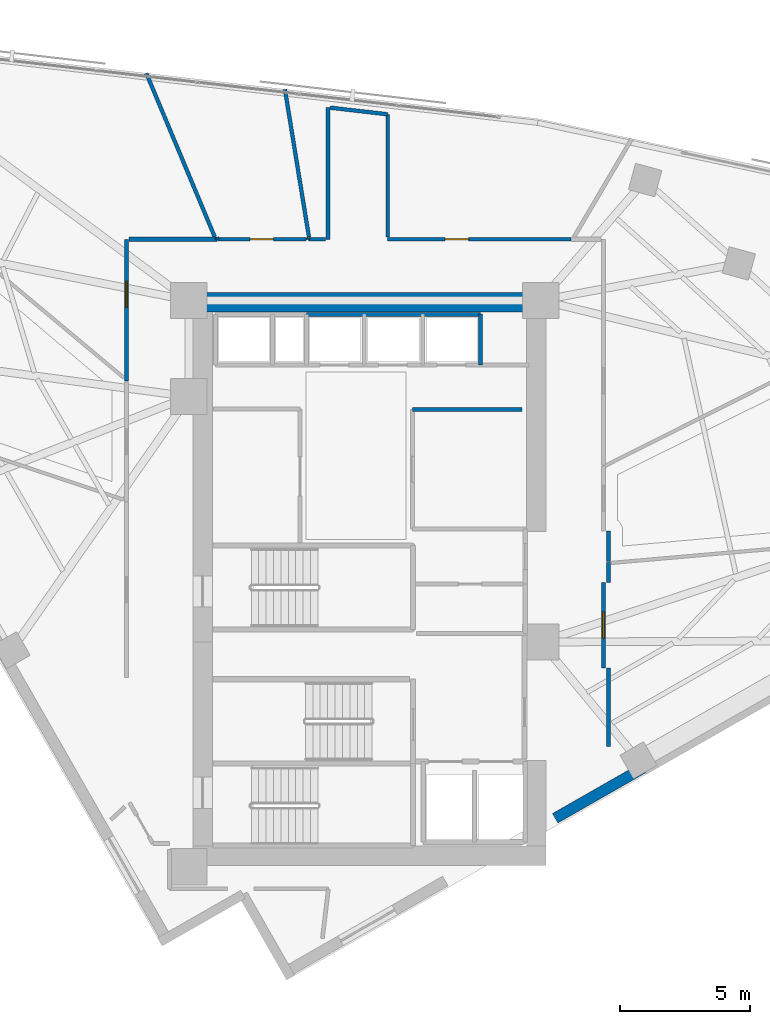
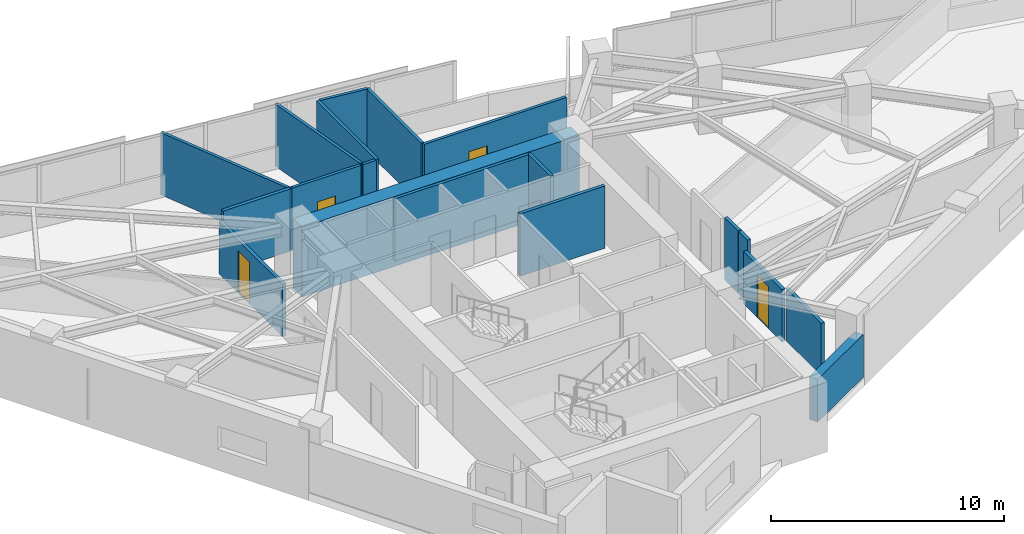
# One storey, part 10 of 13: 21 walls, 4 doors, 4 openings.
"""IFC4 building model written with IfcOpenShell, lengths in metres."""

from ifc_helpers import new_model, si_unit, direction, frame, frame_2d, origin, place, context, subcontext, project, spatial, rectangle, extrude, material, layer, layer_set, type_object, element, fill, save


model = new_model("IFC4")

# Units and contexts
model_context = context("Model", 3, precision=1e-05, world=origin(), true_north=direction((0.0, 1.0)))
body_context = subcontext(model_context, "Body", "Model", "MODEL_VIEW")
ifc_project = project(units=[si_unit("LENGTHUNIT", "METRE"), si_unit("AREAUNIT", "SQUARE_METRE"), si_unit("VOLUMEUNIT", "CUBIC_METRE"), si_unit("PLANEANGLEUNIT", "RADIAN"), si_unit("MASSUNIT", "GRAM", prefix="KILO")], contexts=[model_context])

# Site, building, storey
site_placement = place(None, origin())
site = spatial("IfcSite", under=ifc_project, at=site_placement, CompositionType="ELEMENT")
building_placement = place(site_placement, origin())
building = spatial("IfcBuilding", under=site, at=building_placement, Name="Narakoshi Arena Tower", CompositionType="ELEMENT")
storey_placement = place(building_placement, frame((0.0, 0.0, 200.89990234375)))
storey = spatial("IfcBuildingStorey", under=building, at=storey_placement, Name="L54", CompositionType="ELEMENT", Elevation=200.89990234375)

# Wall
ifc_material_1 = material(Name="Concrete C50/60", Category="concrete")
ifc_layer_1 = layer(ifc_material_1, 0.75)
ifc_layer_set_1 = layer_set([ifc_layer_1], Name="Concrete C50/60")
wall_type_1 = type_object("IfcWallType", Name="WL-CORE-750", PredefinedType="SHEAR", material=ifc_layer_set_1)
wall_1_placement = place(storey_placement, frame((72.0, 56.425048828125, -0.39990234375), z_axis=(0.0, 0.0, 1.0), x_axis=(1.0, 0.0, 0.0)))
element("IfcWall", 1, at=wall_1_placement, inside=storey, type_object=wall_type_1, Name="L54 Main Core Shear Wall CW-MN-N", PredefinedType="SHEAR", context=body_context, shape_type="SweptSolid", body=[
    extrude(rectangle(XDim=13.75, YDim=0.75, at=frame_2d((6.875, 0.0))), origin(), (0.0, 0.0, 1.0), 3.659912109375),
])

# Wall, opening, door
ifc_material_2 = material(Name="Gypsum plasterboard fire-rated partition")
ifc_layer_2 = layer(ifc_material_2, 0.1650390625)
ifc_layer_set_2 = layer_set([ifc_layer_2], Name="Gypsum plasterboard fire-rated partition")
wall_type_2 = type_object("IfcWallType", Name="WL-CORR-165", PredefinedType="PARTITIONING", material=ifc_layer_set_2)
wall_2_placement = place(storey_placement, frame((87.955322265625, 42.35009765625, 0.0), z_axis=(0.0, 0.0, 1.0), x_axis=(0.0, 1.0, 0.0)))
wall_2 = element("IfcWall", 2, at=wall_2_placement, inside=storey, type_object=wall_type_2, Name="L54 Corridor Partition 02-1", PredefinedType="PARTITIONING", context=body_context, shape_type="SweptSolid", body=[
    extrude(rectangle(XDim=3.2998046875, YDim=0.1650390625, at=frame_2d((1.64990234375, 0.0))), origin(), (0.0, 0.0, 1.0), 2.7451171875),
])
opening_1_placement = place(wall_2_placement, frame((1.14990234375, 0.0, 0.0)))
opening_1 = element("IfcOpeningElement", 3, at=opening_1_placement, cuts=wall_2, Name="Opening D-06", PredefinedType="OPENING", context=body_context, shape_type="SweptSolid", body=[
    extrude(rectangle(XDim=1.0, YDim=2.199951171875, at=frame_2d((0.5, 1.10009765625))), frame((0.0, 0.092529296875, 0.0), z_axis=(0.0, -1.0, 0.0), x_axis=(1.0, 0.0, 0.0)), (0.0, 0.0, 1.0), 0.18505859375),
])
ifc_material_3 = material(Name="Stained oak solid-core timber", Category="wood")
door_type_1 = type_object("IfcDoorType", Name="DR-OFF-1000", OperationType="NOTDEFINED", PredefinedType="DOOR", material=ifc_material_3)
door_1_placement = place(opening_1_placement, frame((1.0, 0.0, 0.0), z_axis=(0.0, 0.0, 1.0), x_axis=(-1.0, 0.0, 0.0)))
door_1 = element("IfcDoor", 4, at=door_1_placement, inside=storey, type_object=door_type_1, Name="DR-L54-015", OperationType="SINGLE_SWING_LEFT", OverallHeight=2.199951171875, OverallWidth=1.0, PredefinedType="DOOR", context=body_context, shape_type="SweptSolid", body=[
    extrude(rectangle(XDim=1.0, YDim=2.199951171875, at=frame_2d((0.5, 1.10009765625))), frame((0.0, 0.02490234375, 0.0), z_axis=(0.0, -1.0, 0.0), x_axis=(1.0, 0.0, 0.0)), (0.0, 0.0, 1.0), 0.050048828125),
])
fill(opening_1, door_1)

# Walls
wall_3_placement = place(storey_placement, frame((88.14990234375, 39.322998046875, 0.0), z_axis=(0.0, 0.0, 1.0), x_axis=(0.0, 1.0, 0.0)))
element("IfcWall", 5, at=wall_3_placement, inside=storey, type_object=wall_type_2, Name="L54 Corridor Partition 02-2", PredefinedType="PARTITIONING", context=body_context, shape_type="SweptSolid", body=[
    extrude(rectangle(XDim=3.027099609375, YDim=0.1650390625, at=frame_2d((1.513671875, 0.0))), origin(), (0.0, 0.0, 1.0), 2.7451171875),
])
wall_4_placement = place(storey_placement, frame((88.14990234375, 45.64990234375, 0.0), z_axis=(0.0, 0.0, 1.0), x_axis=(0.0, 1.0, 0.0)))
element("IfcWall", 6, at=wall_4_placement, inside=storey, type_object=wall_type_2, Name="L54 Corridor Partition 02-3", PredefinedType="PARTITIONING", context=body_context, shape_type="SweptSolid", body=[
    extrude(rectangle(XDim=0.771728515625, YDim=0.1650390625, at=frame_2d((0.3857421875, 0.0))), origin(), (0.0, 0.0, 1.0), 3.260009765625),
])
wall_5_placement = place(storey_placement, frame((88.14990234375, 46.44580078125, 0.0), z_axis=(0.0, 0.0, 1.0), x_axis=(0.0, 1.0, 0.0)))
element("IfcWall", 7, at=wall_5_placement, inside=storey, type_object=wall_type_2, Name="L54 Corridor Partition 03-2", PredefinedType="PARTITIONING", context=body_context, shape_type="SweptSolid", body=[
    extrude(rectangle(XDim=1.17431640625, YDim=0.1650390625, at=frame_2d((0.587158203125, 0.0))), origin(), (0.0, 0.0, 1.0), 3.260009765625),
])

# Wall, opening, door
wall_6_placement = place(storey_placement, frame((69.594482421875, 58.85546875, 0.0), z_axis=(0.0, 0.0, 1.0), x_axis=(0.0, -1.0, 0.0)))
wall_6 = element("IfcWall", 8, at=wall_6_placement, inside=storey, type_object=wall_type_2, Name="L54 Corridor Partition 06-1", PredefinedType="PARTITIONING", context=body_context, shape_type="SweptSolid", body=[
    extrude(rectangle(XDim=5.4619140625, YDim=0.1650390625, at=frame_2d((2.73095703125, 0.0))), origin(), (0.0, 0.0, 1.0), 2.7451171875),
])
opening_2_placement = place(wall_6_placement, frame((1.62158203125, 0.0, 0.0)))
opening_2 = element("IfcOpeningElement", 9, at=opening_2_placement, cuts=wall_6, Name="Opening D-06", PredefinedType="OPENING", context=body_context, shape_type="SweptSolid", body=[
    extrude(rectangle(XDim=1.0, YDim=2.199951171875, at=frame_2d((0.5, 1.10009765625))), frame((0.0, 0.092529296875, 0.0), z_axis=(0.0, -1.0, 0.0), x_axis=(1.0, 0.0, 0.0)), (0.0, 0.0, 1.0), 0.18505859375),
])
door_2_placement = place(opening_2_placement, frame((1.0, 0.0, 0.0), z_axis=(0.0, 0.0, 1.0), x_axis=(-1.0, 0.0, 0.0)))
door_2 = element("IfcDoor", 10, at=door_2_placement, inside=storey, type_object=door_type_1, Name="DR-L54-019", OperationType="SINGLE_SWING_LEFT", OverallHeight=2.199951171875, OverallWidth=1.0, PredefinedType="DOOR", context=body_context, shape_type="SweptSolid", body=[
    extrude(rectangle(XDim=1.0, YDim=2.199951171875, at=frame_2d((0.5, 1.10009765625))), frame((0.0, 0.02490234375, 0.0), z_axis=(0.0, -1.0, 0.0), x_axis=(1.0, 0.0, 0.0)), (0.0, 0.0, 1.0), 0.050048828125),
])
fill(opening_2, door_2)

# Walls
wall_7_placement = place(storey_placement, frame((73.07177734375, 58.85546875, 0.0), z_axis=(0.0, 0.0, 1.0), x_axis=(-1.0, 0.0, 0.0)))
element("IfcWall", 11, at=wall_7_placement, inside=storey, type_object=wall_type_2, Name="L54 Corridor Partition 06-2", PredefinedType="PARTITIONING", context=body_context, shape_type="SweptSolid", body=[
    extrude(rectangle(XDim=3.382568359375, YDim=0.1650390625, at=frame_2d((1.69140625, 0.0))), origin(), (0.0, 0.0, 1.0), 3.260009765625),
])
ifc_material_4 = material(Name="Precast concrete C45/55", Category="concrete")
ifc_layer_3 = layer(ifc_material_4, 0.419921875)
ifc_layer_set_3 = layer_set([ifc_layer_3], Name="Precast concrete C45/55")
wall_type_3 = type_object("IfcWallType", Name="WL-POD-420", PredefinedType="SOLIDWALL", material=ifc_layer_set_3)
wall_8_placement = place(storey_placement, frame((86.10009765625, 36.567626953125, 0.0), z_axis=(0.0, 0.0, 1.0), x_axis=(0.868192956745, 0.496226752461, 0.0)))
element("IfcWall", 12, at=wall_8_placement, inside=storey, type_object=wall_type_3, Name="L54 Architectural Concrete Facade Wall LEGA-2", PredefinedType="SOLIDWALL", context=body_context, shape_type="SweptSolid", body=[
    extrude(rectangle(XDim=3.89208984375, YDim=0.419921875, at=frame_2d((1.946044921875, 0.0))), origin(), (0.0, 0.0, 1.0), 2.2451171875),
])
ifc_layer_4 = layer(ifc_material_1, 0.35009765625)
ifc_layer_set_4 = layer_set([ifc_layer_4], Name="Concrete C50/60")
wall_type_4 = type_object("IfcWallType", Name="WL-SHAFT-350", PredefinedType="SOLIDWALL", material=ifc_layer_set_4)
wall_9_placement = place(storey_placement, frame((80.60009765625, 52.300048828125, 0.0), z_axis=(0.0, 0.0, 1.0), x_axis=(1.0, 0.0, 0.0)))
element("IfcWall", 13, at=wall_9_placement, inside=storey, type_object=wall_type_4, Name="L54 Core Wall MR-N", PredefinedType="SOLIDWALL", context=body_context, shape_type="SweptSolid", body=[
    extrude(rectangle(XDim=4.219970703125, YDim=0.159912109375, at=frame_2d((2.10986328125, 0.0))), origin(), (0.0, 0.0, 1.0), 3.260009765625),
])
wall_10_placement = place(storey_placement, frame((83.219970703125, 54.02001953125, 0.0), z_axis=(0.0, 0.0, 1.0), x_axis=(0.0, 1.0, 0.0)))
element("IfcWall", 14, at=wall_10_placement, inside=storey, type_object=wall_type_4, Name="L54 Core Wall HR-E", PredefinedType="SOLIDWALL", context=body_context, shape_type="SweptSolid", body=[
    extrude(rectangle(XDim=1.9599609375, YDim=0.14990234375, at=frame_2d((0.97998046875, 0.0))), origin(), (0.0, 0.0, 1.0), 3.260009765625),
])
wall_11_placement = place(storey_placement, frame((76.52001953125, 55.9599609375, 0.0), z_axis=(0.0, 0.0, 1.0), x_axis=(1.0, 0.0, 0.0)))
element("IfcWall", 15, at=wall_11_placement, inside=storey, type_object=wall_type_4, Name="L54 Core Wall HR-N", PredefinedType="SOLIDWALL", context=body_context, shape_type="SweptSolid", body=[
    extrude(rectangle(XDim=6.699951171875, YDim=0.14990234375, at=frame_2d((3.35009765625, 0.0))), origin(), (0.0, 0.0, 1.0), 3.260009765625),
])

# Wall, opening, door
ifc_material_5 = material(Name="Moisture-resistant cement-board partition")
ifc_layer_5 = layer(ifc_material_5, 0.14501953125)
ifc_layer_set_5 = layer_set([ifc_layer_5], Name="Moisture-resistant cement-board partition")
wall_type_5 = type_object("IfcWallType", Name="WL-WET-145", PredefinedType="PARTITIONING", material=ifc_layer_set_5)
wall_12_placement = place(storey_placement, frame((86.70361328125, 58.85546875, 0.0), z_axis=(0.0, 0.0, 1.0), x_axis=(-1.0, 0.0, 0.0)))
wall_12 = element("IfcWall", 16, at=wall_12_placement, inside=storey, type_object=wall_type_5, Name="L54 Corridor Partition 05-1", PredefinedType="PARTITIONING", context=body_context, shape_type="SweptSolid", body=[
    extrude(rectangle(XDim=7.0537109375, YDim=0.14501953125, at=frame_2d((3.52685546875, 0.0))), origin(), (0.0, 0.0, 1.0), 3.260009765625),
])
opening_3_placement = place(wall_12_placement, frame((3.939697265625, 0.0, 0.0)))
opening_3 = element("IfcOpeningElement", 17, at=opening_3_placement, cuts=wall_12, Name="Opening D-08", PredefinedType="OPENING", context=body_context, shape_type="SweptSolid", body=[
    extrude(rectangle(XDim=0.89990234375, YDim=2.10009765625, at=frame_2d((0.449951171875, 1.050048828125))), frame((0.0, 0.08251953125, 0.0), z_axis=(0.0, -1.0, 0.0), x_axis=(1.0, 0.0, 0.0)), (0.0, 0.0, 1.0), 0.1650390625),
])
ifc_material_6 = material(Name="Moisture-resistant laminate timber", Category="wood")
door_type_2 = type_object("IfcDoorType", Name="DR-WC-900", OperationType="NOTDEFINED", PredefinedType="DOOR", material=ifc_material_6)
door_3_placement = place(opening_3_placement, frame((0.89990234375, 0.0, 0.0), z_axis=(0.0, 0.0, 1.0), x_axis=(-1.0, 0.0, 0.0)))
door_3 = element("IfcDoor", 18, at=door_3_placement, inside=storey, type_object=door_type_2, Name="DR-L54-018", OperationType="SINGLE_SWING_RIGHT", OverallHeight=2.10009765625, OverallWidth=0.89990234375, PredefinedType="DOOR", context=body_context, shape_type="SweptSolid", body=[
    extrude(rectangle(XDim=0.89990234375, YDim=2.10009765625, at=frame_2d((0.449951171875, 1.050048828125))), frame((0.0, 0.02490234375, 0.0), z_axis=(0.0, -1.0, 0.0), x_axis=(1.0, 0.0, 0.0)), (0.0, 0.0, 1.0), 0.050048828125),
])
fill(opening_3, door_3)

# Walls
wall_13_placement = place(storey_placement, frame((77.35009765625, 63.930908203125, 0.0), z_axis=(0.0, 0.0, 1.0), x_axis=(0.0, -1.0, 0.0)))
element("IfcWall", 19, at=wall_13_placement, inside=storey, type_object=wall_type_5, Name="L54 Corridor Partition 05-2", PredefinedType="PARTITIONING", context=body_context, shape_type="SweptSolid", body=[
    extrude(rectangle(XDim=5.075439453125, YDim=0.14501953125, at=frame_2d((2.53759765625, 0.0))), origin(), (0.0, 0.0, 1.0), 3.260009765625),
])
wall_14_placement = place(storey_placement, frame((79.64990234375, 58.93994140625, 0.0), z_axis=(0.0, 0.0, 1.0), x_axis=(0.0, 1.0, 0.0)))
element("IfcWall", 20, at=wall_14_placement, inside=storey, type_object=wall_type_5, Name="L54 Corridor Partition 05-3", PredefinedType="PARTITIONING", context=body_context, shape_type="SweptSolid", body=[
    extrude(rectangle(XDim=4.724609375, YDim=0.14501953125, at=frame_2d((2.3623046875, 0.0))), origin(), (0.0, 0.0, 1.0), 3.260009765625),
])
wall_15_placement = place(storey_placement, frame((79.64990234375, 63.66455078125, 0.0), z_axis=(0.0, 0.0, 1.0), x_axis=(-0.993371485876, 0.11494821029, 0.0)))
element("IfcWall", 21, at=wall_15_placement, inside=storey, type_object=wall_type_5, Name="L54 Corridor Partition 05-4", PredefinedType="PARTITIONING", context=body_context, shape_type="SweptSolid", body=[
    extrude(rectangle(XDim=2.230224609375, YDim=0.14501953125, at=frame_2d((1.115234375, 0.0))), origin(), (0.0, 0.0, 1.0), 3.260009765625),
])
wall_16_placement = place(storey_placement, frame((77.265380859375, 58.85546875, 0.0), z_axis=(0.0, 0.0, 1.0), x_axis=(-1.0, 0.0, 0.0)))
element("IfcWall", 22, at=wall_16_placement, inside=storey, type_object=wall_type_5, Name="L54 Corridor Partition 05-5", PredefinedType="PARTITIONING", context=body_context, shape_type="SweptSolid", body=[
    extrude(rectangle(XDim=0.666015625, YDim=0.14501953125, at=frame_2d((0.3330078125, 0.0))), origin(), (0.0, 0.0, 1.0), 3.260009765625),
])
wall_17_placement = place(storey_placement, frame((76.599365234375, 58.85546875, 0.0), z_axis=(0.0, 0.0, 1.0), x_axis=(-0.165051759845, 0.98628490639, 0.0)))
element("IfcWall", 23, at=wall_17_placement, inside=storey, type_object=wall_type_5, Name="L54 Corridor Partition 05-6", PredefinedType="PARTITIONING", context=body_context, shape_type="SweptSolid", body=[
    extrude(rectangle(XDim=0.060546875, YDim=0.14501953125, at=frame_2d((0.0302734375, 0.0))), origin(), (0.0, 0.0, 1.0), 3.260009765625),
])
wall_18_placement = place(storey_placement, frame((76.62109375, 58.93994140625, 0.0), z_axis=(0.0, 0.0, 1.0), x_axis=(-0.160748572613, 0.986995388238, 0.0)))
element("IfcWall", 24, at=wall_18_placement, inside=storey, type_object=wall_type_5, Name="L54 Inter-Room Partition 05-07", PredefinedType="PARTITIONING", context=body_context, shape_type="SweptSolid", body=[
    extrude(rectangle(XDim=5.7607421875, YDim=0.14501953125, at=frame_2d((2.88037109375, 0.0))), origin(), (0.0, 0.0, 1.0), 3.260009765625),
])
wall_19_placement = place(storey_placement, frame((70.361083984375, 65.243408203125, 0.0), z_axis=(0.0, 0.0, 1.0), x_axis=(0.385809453595, -0.922578487456, 0.0)))
element("IfcWall", 25, at=wall_19_placement, inside=storey, type_object=wall_type_5, Name="L54 Inter-Room Partition 06-07", PredefinedType="PARTITIONING", context=body_context, shape_type="SweptSolid", body=[
    extrude(rectangle(XDim=6.821533203125, YDim=0.14501953125, at=frame_2d((3.41064453125, 0.0))), origin(), (0.0, 0.0, 1.0), 3.260009765625),
])

# Wall, opening, door
wall_20_placement = place(storey_placement, frame((76.513671875, 58.85546875, 0.0), z_axis=(0.0, 0.0, 1.0), x_axis=(-1.0, 0.0, 0.0)))
wall_20 = element("IfcWall", 26, at=wall_20_placement, inside=storey, type_object=wall_type_5, Name="L54 Corridor Partition 07-1", PredefinedType="PARTITIONING", context=body_context, shape_type="SweptSolid", body=[
    extrude(rectangle(XDim=3.415771484375, YDim=0.14501953125, at=frame_2d((1.7080078125, 0.0))), origin(), (0.0, 0.0, 1.0), 3.260009765625),
])
opening_4_placement = place(wall_20_placement, frame((1.2578125, 0.0, 0.0)))
opening_4 = element("IfcOpeningElement", 27, at=opening_4_placement, cuts=wall_20, Name="Opening D-08", PredefinedType="OPENING", context=body_context, shape_type="SweptSolid", body=[
    extrude(rectangle(XDim=0.89990234375, YDim=2.10009765625, at=frame_2d((0.449951171875, 1.050048828125))), frame((0.0, 0.08251953125, 0.0), z_axis=(0.0, -1.0, 0.0), x_axis=(1.0, 0.0, 0.0)), (0.0, 0.0, 1.0), 0.1650390625),
])
door_4_placement = place(opening_4_placement, frame((0.89990234375, 0.0, 0.0), z_axis=(0.0, 0.0, 1.0), x_axis=(-1.0, 0.0, 0.0)))
door_4 = element("IfcDoor", 28, at=door_4_placement, inside=storey, type_object=door_type_2, Name="DR-L54-020", OperationType="SINGLE_SWING_RIGHT", OverallHeight=2.10009765625, OverallWidth=0.89990234375, PredefinedType="DOOR", context=body_context, shape_type="SweptSolid", body=[
    extrude(rectangle(XDim=0.89990234375, YDim=2.10009765625, at=frame_2d((0.449951171875, 1.050048828125))), frame((0.0, 0.02490234375, 0.0), z_axis=(0.0, -1.0, 0.0), x_axis=(1.0, 0.0, 0.0)), (0.0, 0.0, 1.0), 0.050048828125),
])
fill(opening_4, door_4)

# Wall
wall_21_placement = place(storey_placement, frame((73.097900390625, 58.85546875, 0.0), z_axis=(0.0, 0.0, 1.0), x_axis=(-0.39708173337, 0.917783251658, 0.0)))
element("IfcWall", 29, at=wall_21_placement, inside=storey, type_object=wall_type_5, Name="L54 Corridor Partition 07-2", PredefinedType="PARTITIONING", context=body_context, shape_type="SweptSolid", body=[
    extrude(rectangle(XDim=0.065185546875, YDim=0.14501953125, at=frame_2d((0.03271484375, 0.0))), origin(), (0.0, 0.0, 1.0), 3.260009765625),
])

save(model, "model.ifc")
